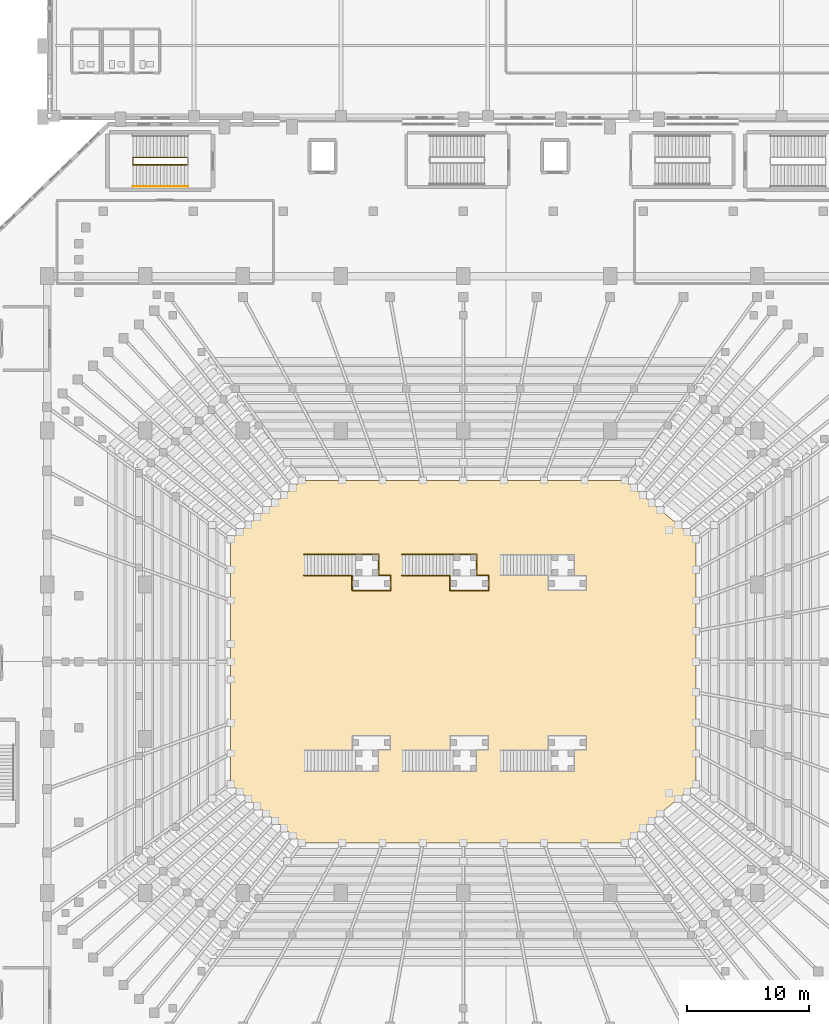
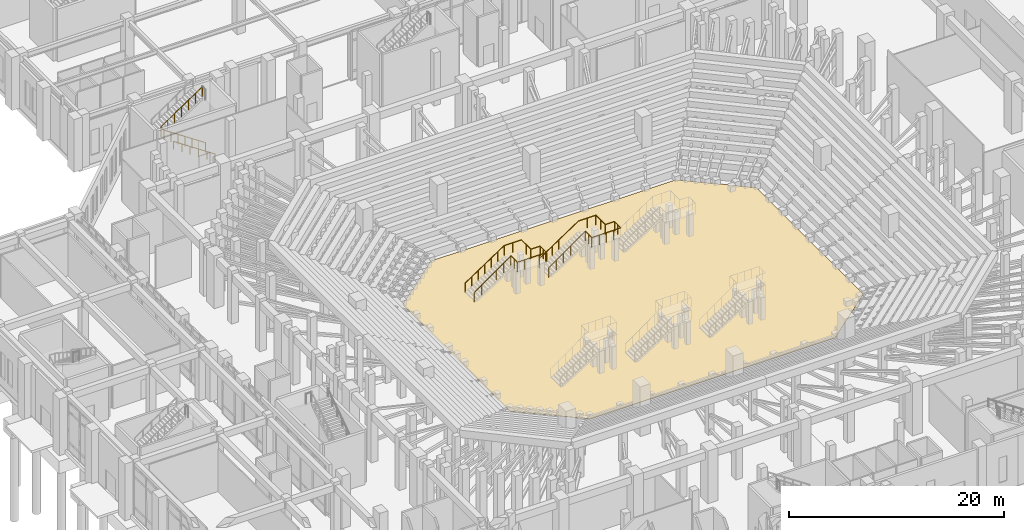
# One storey, part 134 of 143: 4 railings, 1 covering.
"""IFC4 building model written with IfcOpenShell, lengths in metres."""

from ifc_helpers import new_model, si_unit, derived_unit, direction, frame, origin, origin_2d, place, context, subcontext, project, spatial, polyline, circle, outline, extrude, material, layer, layer_set, type_object, element, save


model = new_model("IFC4")

# Units and contexts
model_context = context("Model", 3, precision=1e-05, world=origin(), true_north=direction((0.0, 1.0)))
body_context = subcontext(model_context, "Body", "Model", "MODEL_VIEW")
ifc_project = project(units=[si_unit("LENGTHUNIT", "METRE"), si_unit("AREAUNIT", "SQUARE_METRE"), si_unit("VOLUMEUNIT", "CUBIC_METRE"), si_unit("PLANEANGLEUNIT", "RADIAN"), si_unit("MASSUNIT", "GRAM", prefix="KILO"), derived_unit("THERMALTRANSMITTANCEUNIT", [(si_unit("MASSUNIT", "GRAM", prefix="KILO"), 1), (si_unit("TIMEUNIT", "SECOND"), -3), (si_unit("THERMODYNAMICTEMPERATUREUNIT", "KELVIN"), -1)])], contexts=[model_context])

# Site, building, storey
site_placement = place(None, origin())
site = spatial("IfcSite", under=ifc_project, at=site_placement, CompositionType="ELEMENT")
building_placement = place(site_placement, origin())
building = spatial("IfcBuilding", under=site, at=building_placement, Name="Valcora Ridge Arena", CompositionType="ELEMENT")
storey_placement = place(building_placement, origin())
storey = spatial("IfcBuildingStorey", under=building, at=storey_placement, Name="L00", CompositionType="ELEMENT", Elevation=0.0)

# Covering
ifc_material_1 = material(Name="FIBA-certified sprung maple hardwood sports floor", Category="wood")
ifc_layer = layer(ifc_material_1, 0.030029296875, Name="FIBA-certified sprung maple hardwood sports floor")
ifc_layer_set = layer_set([ifc_layer], Name="FIBA-certified sprung maple hardwood sports floor")
covering_type = type_object("IfcCoveringType", Name="TY-COVERING-FLR-MAPLE-EVT", PredefinedType="FLOORING", material=ifc_layer_set)
covering_placement = place(storey_placement, origin())
element("IfcCovering", 1, at=covering_placement, inside=storey, type_object=covering_type, Name="FLR-MAPLE-EVT COV-FL-0001", PredefinedType="FLOORING", context=body_context, shape_type="SweptSolid", body=[
    extrude(outline(polyline([(44.800048828125, 49.300048828125), (71.199951171875, 49.300048828125), (77.0, 54.10009765625), (77.0, 74.10009765625), (71.199951171875, 78.89990234375), (44.800048828125, 78.89990234375), (39.0, 74.10009765625), (39.0, 54.10009765625), (44.800048828125, 49.300048828125)])), origin(), (0.0, 0.0, 1.0), 0.030029296875),
])

# Railings
ifc_material_2 = material(Name="Galvanized painted steel ASTM A500 Grade B", Category="steel")
railing_type_1 = type_object("IfcRailingType", Name="TY-RAILING-GRD-STAIR-1120", PredefinedType="GUARDRAIL", material=ifc_material_2)
railing_1_placement = place(storey_placement, frame((35.489990234375, 104.699951171875, 0.0)))
element("IfcRailing", 2, at=railing_1_placement, inside=storey, type_object=railing_type_1, Name="GRD-STAIR-1120 RAL-SG-0025", PredefinedType="GUARDRAIL", context=body_context, shape_type="SweptSolid", body=[
    extrude(circle(Radius=0.02392578125, at=origin_2d()), frame((0.0, 0.0, 1.09619140625), z_axis=(-0.830906055479, 0.0, 0.556412730775), x_axis=(0.0, -1.0, 0.0)), (0.0, 0.0, 1.0), 5.3916015625),
    extrude(circle(Radius=0.02392578125, at=origin_2d()), frame((-4.47998046875, 0.0, 4.09619140625), z_axis=(0.0, 1.0, 0.0), x_axis=(-1.0, 0.0, 0.0)), (0.0, 0.0, 1.0), 0.60009765625),
    extrude(circle(Radius=0.02392578125, at=origin_2d()), frame((-4.47998046875, 0.60009765625, 4.09619140625), z_axis=(0.830906055479, 0.0, 0.556412730775), x_axis=(0.0, 1.0, 0.0)), (0.0, 0.0, 1.0), 5.3916015625),
    extrude(circle(Radius=0.02099609375, at=origin_2d()), origin(), (0.0, 0.0, 1.0), 1.072021484375),
    extrude(circle(Radius=0.02099609375, at=origin_2d()), frame((-0.74658203125, 0.0, 0.5)), (0.0, 0.0, 1.0), 1.072021484375),
    extrude(circle(Radius=0.02099609375, at=origin_2d()), frame((-1.493408203125, 0.0, 1.0)), (0.0, 0.0, 1.0), 1.072021484375),
    extrude(circle(Radius=0.02099609375, at=origin_2d()), frame((-2.239990234375, 0.0, 1.5)), (0.0, 0.0, 1.0), 1.072021484375),
    extrude(circle(Radius=0.02099609375, at=origin_2d()), frame((-2.986572265625, 0.0, 2.0)), (0.0, 0.0, 1.0), 1.072021484375),
    extrude(circle(Radius=0.02099609375, at=origin_2d()), frame((-3.7333984375, 0.0, 2.5)), (0.0, 0.0, 1.0), 1.072021484375),
    extrude(circle(Radius=0.02099609375, at=origin_2d()), frame((-4.47998046875, 0.0, 3.0)), (0.0, 0.0, 1.0), 1.072021484375),
    extrude(circle(Radius=0.02099609375, at=origin_2d()), frame((-4.47998046875, 0.60009765625, 3.0)), (0.0, 0.0, 1.0), 1.072021484375),
    extrude(circle(Radius=0.02099609375, at=origin_2d()), frame((-3.7333984375, 0.60009765625, 3.5)), (0.0, 0.0, 1.0), 1.072021484375),
    extrude(circle(Radius=0.02099609375, at=origin_2d()), frame((-2.986572265625, 0.60009765625, 4.0)), (0.0, 0.0, 1.0), 1.072021484375),
    extrude(circle(Radius=0.02099609375, at=origin_2d()), frame((-2.239990234375, 0.60009765625, 4.5)), (0.0, 0.0, 1.0), 1.072021484375),
    extrude(circle(Radius=0.02099609375, at=origin_2d()), frame((-1.493408203125, 0.60009765625, 5.0)), (0.0, 0.0, 1.0), 1.072021484375),
    extrude(circle(Radius=0.02099609375, at=origin_2d()), frame((-0.74658203125, 0.60009765625, 5.5)), (0.0, 0.0, 1.0), 1.072021484375),
    extrude(circle(Radius=0.02099609375, at=origin_2d()), frame((0.0, 0.60009765625, 6.0)), (0.0, 0.0, 1.0), 1.072021484375),
])
railing_2_placement = place(storey_placement, frame((45.0, 72.8701171875, 0.0)))
element("IfcRailing", 3, at=railing_2_placement, inside=storey, type_object=railing_type_1, Name="GRD-STAIR-1120 RAL-SG-0176", PredefinedType="GUARDRAIL", context=body_context, shape_type="SweptSolid", body=[
    extrude(circle(Radius=0.02392578125, at=origin_2d()), frame((0.0, 0.0, 1.09619140625), z_axis=(0.832042853317, 0.0, 0.554711357594), x_axis=(0.0, 1.0, 0.0)), (0.0, 0.0, 1.0), 5.0478515625),
    extrude(circle(Radius=0.02392578125, at=origin_2d()), frame((4.199951171875, 0.0, 3.89599609375), z_axis=(1.0, 0.0, 0.0), x_axis=(0.0, 1.0, 0.0)), (0.0, 0.0, 1.0), 1.8701171875),
    extrude(circle(Radius=0.02392578125, at=origin_2d()), frame((6.070068359375, 0.0, 3.89599609375), z_axis=(0.0, -1.0, 0.0), x_axis=(1.0, 0.0, 0.0)), (0.0, 0.0, 1.0), 1.740234375),
    extrude(circle(Radius=0.02392578125, at=origin_2d()), frame((6.070068359375, -1.740234375, 3.89599609375), z_axis=(1.0, 0.0, 0.0), x_axis=(0.0, 1.0, 0.0)), (0.0, 0.0, 1.0), 1.0),
    extrude(circle(Radius=0.02392578125, at=origin_2d()), frame((7.070068359375, -1.740234375, 3.89599609375), z_axis=(0.0, -1.0, 0.0), x_axis=(1.0, 0.0, 0.0)), (0.0, 0.0, 1.0), 1.199951171875),
    extrude(circle(Radius=0.02392578125, at=origin_2d()), frame((7.070068359375, -2.940185546875, 3.89599609375), z_axis=(-1.0, 0.0, 0.0), x_axis=(0.0, -1.0, 0.0)), (0.0, 0.0, 1.0), 3.14013671875),
    extrude(circle(Radius=0.02392578125, at=origin_2d()), frame((3.929931640625, -2.940185546875, 3.89599609375), z_axis=(0.0, 1.0, 0.0), x_axis=(-1.0, 0.0, 0.0)), (0.0, 0.0, 1.0), 1.199951171875),
    extrude(circle(Radius=0.02392578125, at=origin_2d()), frame((3.929931640625, -1.740234375, 3.89599609375), z_axis=(-0.814423446672, 0.0, -0.580271013846), x_axis=(0.0, -1.0, 0.0)), (0.0, 0.0, 1.0), 4.825439453125),
    extrude(circle(Radius=0.02099609375, at=origin_2d()), origin(), (0.0, 0.0, 1.0), 1.072021484375),
    extrude(circle(Radius=0.02099609375, at=origin_2d()), frame((0.699951171875, 0.0, 0.466796875)), (0.0, 0.0, 1.0), 1.072021484375),
    extrude(circle(Radius=0.02099609375, at=origin_2d()), frame((1.39990234375, 0.0, 0.933349609375)), (0.0, 0.0, 1.0), 1.072021484375),
    extrude(circle(Radius=0.02099609375, at=origin_2d()), frame((2.10009765625, 0.0, 1.39990234375)), (0.0, 0.0, 1.0), 1.072021484375),
    extrude(circle(Radius=0.02099609375, at=origin_2d()), frame((2.800048828125, 0.0, 1.86669921875)), (0.0, 0.0, 1.0), 1.072021484375),
    extrude(circle(Radius=0.02099609375, at=origin_2d()), frame((3.5, 0.0, 2.33349609375)), (0.0, 0.0, 1.0), 1.072021484375),
    extrude(circle(Radius=0.02099609375, at=origin_2d()), frame((4.199951171875, 0.0, 2.800048828125)), (0.0, 0.0, 1.0), 1.072021484375),
    extrude(circle(Radius=0.02099609375, at=origin_2d()), frame((5.135009765625, 0.0, 2.800048828125)), (0.0, 0.0, 1.0), 1.072021484375),
    extrude(circle(Radius=0.02099609375, at=origin_2d()), frame((6.070068359375, 0.0, 2.800048828125)), (0.0, 0.0, 1.0), 1.072021484375),
    extrude(circle(Radius=0.02099609375, at=origin_2d()), frame((6.070068359375, -0.8701171875, 2.800048828125)), (0.0, 0.0, 1.0), 1.072021484375),
    extrude(circle(Radius=0.02099609375, at=origin_2d()), frame((6.070068359375, -1.740234375, 2.800048828125)), (0.0, 0.0, 1.0), 1.072021484375),
    extrude(circle(Radius=0.02099609375, at=origin_2d()), frame((7.070068359375, -1.740234375, 2.800048828125)), (0.0, 0.0, 1.0), 1.072021484375),
    extrude(circle(Radius=0.02099609375, at=origin_2d()), frame((7.070068359375, -2.34033203125, 2.800048828125)), (0.0, 0.0, 1.0), 1.072021484375),
    extrude(circle(Radius=0.02099609375, at=origin_2d()), frame((7.070068359375, -2.940185546875, 2.800048828125)), (0.0, 0.0, 1.0), 1.072021484375),
    extrude(circle(Radius=0.02099609375, at=origin_2d()), frame((6.28515625, -2.940185546875, 2.800048828125)), (0.0, 0.0, 1.0), 1.072021484375),
    extrude(circle(Radius=0.02099609375, at=origin_2d()), frame((5.5, -2.940185546875, 2.800048828125)), (0.0, 0.0, 1.0), 1.072021484375),
    extrude(circle(Radius=0.02099609375, at=origin_2d()), frame((4.71484375, -2.940185546875, 2.800048828125)), (0.0, 0.0, 1.0), 1.072021484375),
    extrude(circle(Radius=0.02099609375, at=origin_2d()), frame((3.929931640625, -2.940185546875, 2.800048828125)), (0.0, 0.0, 1.0), 1.072021484375),
    extrude(circle(Radius=0.02099609375, at=origin_2d()), frame((3.929931640625, -2.34033203125, 2.800048828125)), (0.0, 0.0, 1.0), 1.072021484375),
    extrude(circle(Radius=0.02099609375, at=origin_2d()), frame((3.929931640625, -1.740234375, 2.800048828125)), (0.0, 0.0, 1.0), 1.072021484375),
    extrude(circle(Radius=0.02099609375, at=origin_2d()), frame((3.14404296875, -1.740234375, 2.239990234375)), (0.0, 0.0, 1.0), 1.072021484375),
    extrude(circle(Radius=0.02099609375, at=origin_2d()), frame((2.35791015625, -1.740234375, 1.679931640625)), (0.0, 0.0, 1.0), 1.072021484375),
    extrude(circle(Radius=0.02099609375, at=origin_2d()), frame((1.572021484375, -1.740234375, 1.1201171875)), (0.0, 0.0, 1.0), 1.072021484375),
    extrude(circle(Radius=0.02099609375, at=origin_2d()), frame((0.785888671875, -1.740234375, 0.56005859375)), (0.0, 0.0, 1.0), 1.072021484375),
    extrude(circle(Radius=0.02099609375, at=origin_2d()), frame((0.0, -1.740234375, 0.0)), (0.0, 0.0, 1.0), 1.072021484375),
])
railing_3_placement = place(storey_placement, frame((53.0, 72.8701171875, 0.0)))
element("IfcRailing", 4, at=railing_3_placement, inside=storey, type_object=railing_type_1, Name="GRD-STAIR-1120 RAL-SG-0177", PredefinedType="GUARDRAIL", context=body_context, shape_type="SweptSolid", body=[
    extrude(circle(Radius=0.02392578125, at=origin_2d()), frame((0.0, 0.0, 1.09619140625), z_axis=(0.832042853317, 0.0, 0.554711357594), x_axis=(0.0, 1.0, 0.0)), (0.0, 0.0, 1.0), 5.0478515625),
    extrude(circle(Radius=0.02392578125, at=origin_2d()), frame((4.199951171875, 0.0, 3.89599609375), z_axis=(1.0, 0.0, 0.0), x_axis=(0.0, 1.0, 0.0)), (0.0, 0.0, 1.0), 1.8701171875),
    extrude(circle(Radius=0.02392578125, at=origin_2d()), frame((6.070068359375, 0.0, 3.89599609375), z_axis=(0.0, -1.0, 0.0), x_axis=(1.0, 0.0, 0.0)), (0.0, 0.0, 1.0), 1.740234375),
    extrude(circle(Radius=0.02392578125, at=origin_2d()), frame((6.070068359375, -1.740234375, 3.89599609375), z_axis=(1.0, 0.0, 0.0), x_axis=(0.0, 1.0, 0.0)), (0.0, 0.0, 1.0), 1.0),
    extrude(circle(Radius=0.02392578125, at=origin_2d()), frame((7.070068359375, -1.740234375, 3.89599609375), z_axis=(0.0, -1.0, 0.0), x_axis=(1.0, 0.0, 0.0)), (0.0, 0.0, 1.0), 1.199951171875),
    extrude(circle(Radius=0.02392578125, at=origin_2d()), frame((7.070068359375, -2.940185546875, 3.89599609375), z_axis=(-1.0, 0.0, 0.0), x_axis=(0.0, -1.0, 0.0)), (0.0, 0.0, 1.0), 3.14013671875),
    extrude(circle(Radius=0.02392578125, at=origin_2d()), frame((3.929931640625, -2.940185546875, 3.89599609375), z_axis=(0.0, 1.0, 0.0), x_axis=(-1.0, 0.0, 0.0)), (0.0, 0.0, 1.0), 1.199951171875),
    extrude(circle(Radius=0.02392578125, at=origin_2d()), frame((3.929931640625, -1.740234375, 3.89599609375), z_axis=(-0.814423446672, 0.0, -0.580271013846), x_axis=(0.0, -1.0, 0.0)), (0.0, 0.0, 1.0), 4.825439453125),
    extrude(circle(Radius=0.02099609375, at=origin_2d()), origin(), (0.0, 0.0, 1.0), 1.072021484375),
    extrude(circle(Radius=0.02099609375, at=origin_2d()), frame((0.699951171875, 0.0, 0.466796875)), (0.0, 0.0, 1.0), 1.072021484375),
    extrude(circle(Radius=0.02099609375, at=origin_2d()), frame((1.39990234375, 0.0, 0.933349609375)), (0.0, 0.0, 1.0), 1.072021484375),
    extrude(circle(Radius=0.02099609375, at=origin_2d()), frame((2.10009765625, 0.0, 1.39990234375)), (0.0, 0.0, 1.0), 1.072021484375),
    extrude(circle(Radius=0.02099609375, at=origin_2d()), frame((2.800048828125, 0.0, 1.86669921875)), (0.0, 0.0, 1.0), 1.072021484375),
    extrude(circle(Radius=0.02099609375, at=origin_2d()), frame((3.5, 0.0, 2.33349609375)), (0.0, 0.0, 1.0), 1.072021484375),
    extrude(circle(Radius=0.02099609375, at=origin_2d()), frame((4.199951171875, 0.0, 2.800048828125)), (0.0, 0.0, 1.0), 1.072021484375),
    extrude(circle(Radius=0.02099609375, at=origin_2d()), frame((5.135009765625, 0.0, 2.800048828125)), (0.0, 0.0, 1.0), 1.072021484375),
    extrude(circle(Radius=0.02099609375, at=origin_2d()), frame((6.070068359375, 0.0, 2.800048828125)), (0.0, 0.0, 1.0), 1.072021484375),
    extrude(circle(Radius=0.02099609375, at=origin_2d()), frame((6.070068359375, -0.8701171875, 2.800048828125)), (0.0, 0.0, 1.0), 1.072021484375),
    extrude(circle(Radius=0.02099609375, at=origin_2d()), frame((6.070068359375, -1.740234375, 2.800048828125)), (0.0, 0.0, 1.0), 1.072021484375),
    extrude(circle(Radius=0.02099609375, at=origin_2d()), frame((7.070068359375, -1.740234375, 2.800048828125)), (0.0, 0.0, 1.0), 1.072021484375),
    extrude(circle(Radius=0.02099609375, at=origin_2d()), frame((7.070068359375, -2.34033203125, 2.800048828125)), (0.0, 0.0, 1.0), 1.072021484375),
    extrude(circle(Radius=0.02099609375, at=origin_2d()), frame((7.070068359375, -2.940185546875, 2.800048828125)), (0.0, 0.0, 1.0), 1.072021484375),
    extrude(circle(Radius=0.02099609375, at=origin_2d()), frame((6.28515625, -2.940185546875, 2.800048828125)), (0.0, 0.0, 1.0), 1.072021484375),
    extrude(circle(Radius=0.02099609375, at=origin_2d()), frame((5.5, -2.940185546875, 2.800048828125)), (0.0, 0.0, 1.0), 1.072021484375),
    extrude(circle(Radius=0.02099609375, at=origin_2d()), frame((4.71484375, -2.940185546875, 2.800048828125)), (0.0, 0.0, 1.0), 1.072021484375),
    extrude(circle(Radius=0.02099609375, at=origin_2d()), frame((3.929931640625, -2.940185546875, 2.800048828125)), (0.0, 0.0, 1.0), 1.072021484375),
    extrude(circle(Radius=0.02099609375, at=origin_2d()), frame((3.929931640625, -2.34033203125, 2.800048828125)), (0.0, 0.0, 1.0), 1.072021484375),
    extrude(circle(Radius=0.02099609375, at=origin_2d()), frame((3.929931640625, -1.740234375, 2.800048828125)), (0.0, 0.0, 1.0), 1.072021484375),
    extrude(circle(Radius=0.02099609375, at=origin_2d()), frame((3.14404296875, -1.740234375, 2.239990234375)), (0.0, 0.0, 1.0), 1.072021484375),
    extrude(circle(Radius=0.02099609375, at=origin_2d()), frame((2.35791015625, -1.740234375, 1.679931640625)), (0.0, 0.0, 1.0), 1.072021484375),
    extrude(circle(Radius=0.02099609375, at=origin_2d()), frame((1.572021484375, -1.740234375, 1.1201171875)), (0.0, 0.0, 1.0), 1.072021484375),
    extrude(circle(Radius=0.02099609375, at=origin_2d()), frame((0.785888671875, -1.740234375, 0.56005859375)), (0.0, 0.0, 1.0), 1.072021484375),
    extrude(circle(Radius=0.02099609375, at=origin_2d()), frame((0.0, -1.740234375, 0.0)), (0.0, 0.0, 1.0), 1.072021484375),
])
railing_type_2 = type_object("IfcRailingType", Name="TY-RAILING-HR-STAIR-900", PredefinedType="HANDRAIL", material=ifc_material_2)
railing_4_placement = place(storey_placement, frame((35.489990234375, 102.93994140625, 0.0)))
element("IfcRailing", 5, at=railing_4_placement, inside=storey, type_object=railing_type_2, Name="HR-STAIR-900 RAL-SH-0025", PredefinedType="HANDRAIL", context=body_context, shape_type="SweptSolid", body=[
    extrude(circle(Radius=0.02392578125, at=origin_2d()), frame((0.0, 0.0, 0.8759765625), z_axis=(-0.830906055479, 0.0, 0.556412730775), x_axis=(0.0, -1.0, 0.0)), (0.0, 0.0, 1.0), 5.3916015625),
    extrude(circle(Radius=0.02099609375, at=origin_2d()), origin(), (0.0, 0.0, 1.0), 0.851806640625),
    extrude(circle(Radius=0.02099609375, at=origin_2d()), frame((-0.89599609375, 0.0, 0.60009765625)), (0.0, 0.0, 1.0), 0.851806640625),
    extrude(circle(Radius=0.02099609375, at=origin_2d()), frame((-1.7919921875, 0.0, 1.199951171875)), (0.0, 0.0, 1.0), 0.851806640625),
    extrude(circle(Radius=0.02099609375, at=origin_2d()), frame((-2.68798828125, 0.0, 1.800048828125)), (0.0, 0.0, 1.0), 0.851806640625),
    extrude(circle(Radius=0.02099609375, at=origin_2d()), frame((-3.583984375, 0.0, 2.39990234375)), (0.0, 0.0, 1.0), 0.851806640625),
    extrude(circle(Radius=0.02099609375, at=origin_2d()), frame((-4.47998046875, 0.0, 3.0)), (0.0, 0.0, 1.0), 0.851806640625),
])

save(model, "model.ifc")
